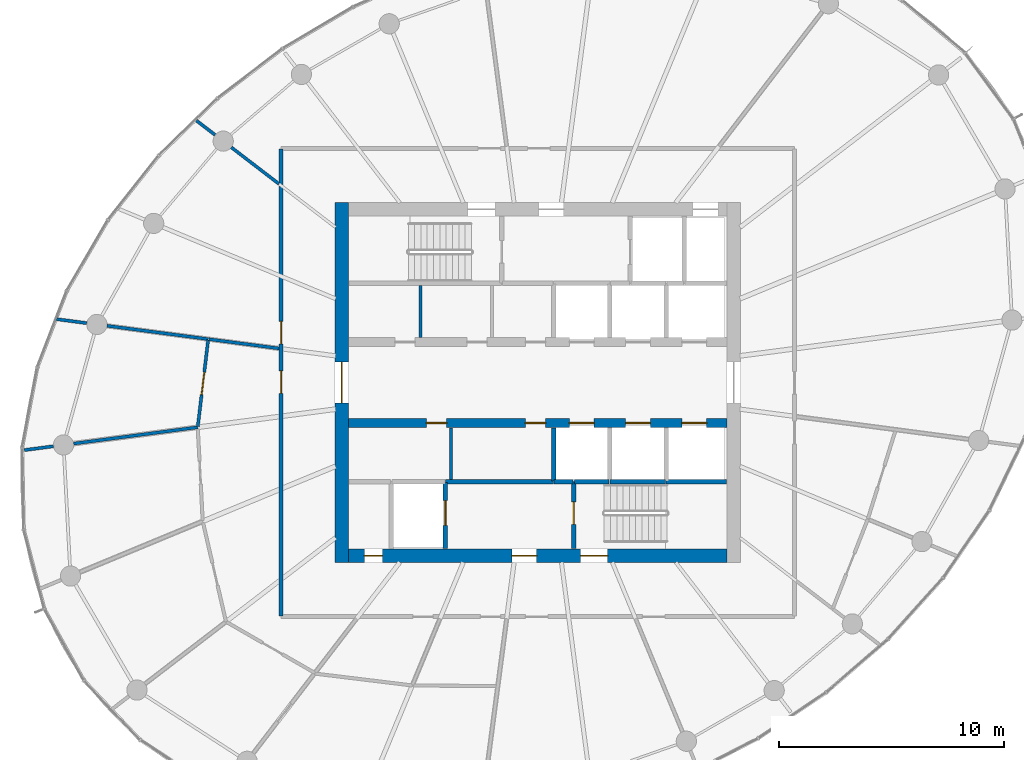
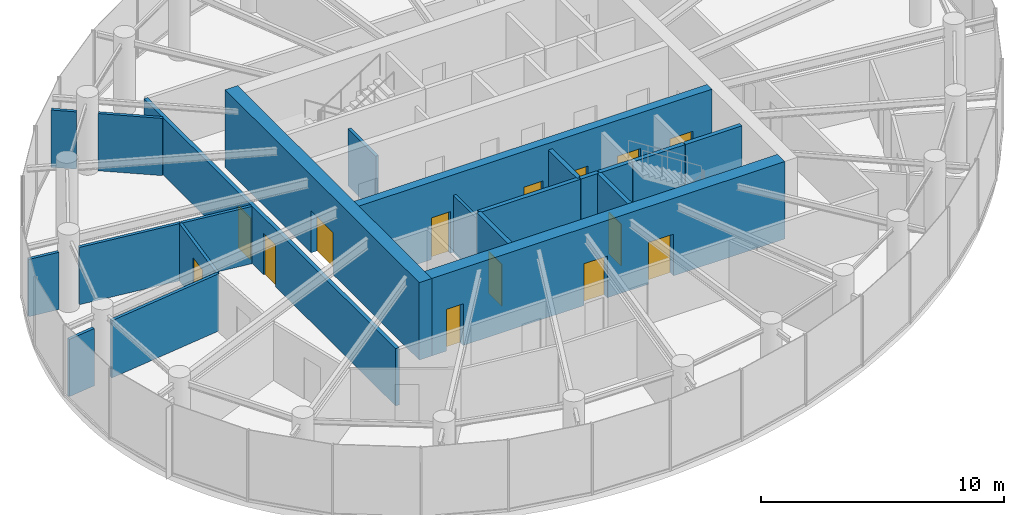
# One storey, part 9 of 13: 22 walls, 14 doors, 14 openings.
"""IFC4 building model written with IfcOpenShell, lengths in metres."""

from ifc_helpers import new_model, si_unit, direction, frame, frame_2d, origin, place, context, subcontext, project, spatial, rectangle, extrude, source, transform, mapped, material, layer, layer_set, type_object, element, fill, save


model = new_model("IFC4")

# Units and contexts
model_context = context("Model", 3, precision=1e-05, world=origin(), true_north=direction((0.0, 1.0)))
body_context = subcontext(model_context, "Body", "Model", "MODEL_VIEW")
ifc_project = project(units=[si_unit("LENGTHUNIT", "METRE"), si_unit("AREAUNIT", "SQUARE_METRE"), si_unit("VOLUMEUNIT", "CUBIC_METRE"), si_unit("PLANEANGLEUNIT", "RADIAN"), si_unit("MASSUNIT", "GRAM", prefix="KILO")], contexts=[model_context])

# Site, building, storey
site_placement = place(None, origin())
site = spatial("IfcSite", under=ifc_project, at=site_placement, CompositionType="ELEMENT")
building_placement = place(site_placement, origin())
building = spatial("IfcBuilding", under=site, at=building_placement, Name="Spindrift Exchange Tower", CompositionType="ELEMENT")
storey_placement = place(building_placement, frame((0.0, 0.0, 218.89990234375)))
storey = spatial("IfcBuildingStorey", under=building, at=storey_placement, Name="L53", CompositionType="ELEMENT", Elevation=218.89990234375)

# Wall, opening, door
ifc_material_1 = material(Name="Concrete 50 MPa", Category="concrete")
ifc_layer_1 = layer(ifc_material_1, 0.60009765625)
ifc_layer_set_1 = layer_set([ifc_layer_1], Name="RC Core Wall 600 Concrete 50 MPa")
wall_type_1 = type_object("IfcWallType", Name="RC Core Wall 600 Concrete 50 MPa", PredefinedType="SHEAR", material=ifc_layer_set_1)
wall_1_placement = place(storey_placement, frame((43.300048828125, 56.0, 0.0), z_axis=(0.0, 0.0, 1.0), x_axis=(0.0, -1.0, 0.0)))
wall_1 = element("IfcWall", 1, at=wall_1_placement, inside=storey, type_object=wall_type_1, Name="Core wall W L53", PredefinedType="SHEAR", context=body_context, shape_type="SweptSolid", body=[
    extrude(rectangle(XDim=16.0, YDim=0.60009765625, at=frame_2d((8.0, 0.0))), origin(), (0.0, 0.0, 1.0), 3.900146484375),
])
opening_1_placement = place(wall_1_placement, frame((7.10009765625, 0.0, 0.0)))
opening_1 = element("IfcOpeningElement", 2, at=opening_1_placement, cuts=wall_1, Name="Opening L53-D1", PredefinedType="OPENING", context=body_context, shape_type="SweptSolid", body=[
    extrude(rectangle(XDim=1.800048828125, YDim=2.10009765625, at=frame_2d((0.89990234375, 1.050048828125))), frame((0.0, 0.31005859375, 0.0), z_axis=(0.0, -1.0, 0.0), x_axis=(1.0, 0.0, 0.0)), (0.0, 0.0, 1.0), 0.6201171875),
])
ifc_material_2 = material(Name="Timber-core fire door", Category="wood")
door_type_1 = type_object("IfcDoorType", Name="DR-LOBBY-1800", OperationType="NOTDEFINED", PredefinedType="DOOR", material=ifc_material_2)
shared_shape_1 = source(origin(), body_context, "Body", "SweptSolid", [
    extrude(rectangle(XDim=1.800048828125, YDim=2.10009765625, at=frame_2d((0.89990234375, 1.050048828125))), frame((0.0, 0.02490234375, 0.0), z_axis=(0.0, -1.0, 0.0), x_axis=(1.0, 0.0, 0.0)), (0.0, 0.0, 1.0), 0.050048828125),
])
door_1_placement = place(opening_1_placement, origin())
door_1 = element("IfcDoor", 3, at=door_1_placement, inside=storey, type_object=door_type_1, Name="L53 Lobby door 1", OperationType="SINGLE_SWING_LEFT", OverallHeight=2.10009765625, OverallWidth=1.800048828125, PredefinedType="DOOR", context=body_context, shape_type="MappedRepresentation", body=[
    mapped(shared_shape_1, transform((0.0, 0.0, 0.0), scale=1.0)),
])
fill(opening_1, door_1)

# Wall, openings, doors
wall_2_placement = place(storey_placement, frame((43.60009765625, 40.300048828125, 0.0), z_axis=(0.0, 0.0, 1.0), x_axis=(1.0, 0.0, 0.0)))
wall_2 = element("IfcWall", 4, at=wall_2_placement, inside=storey, type_object=wall_type_1, Name="Core wall S L53", PredefinedType="SHEAR", context=body_context, shape_type="SweptSolid", body=[
    extrude(rectangle(XDim=16.7998046875, YDim=0.60009765625, at=frame_2d((8.39990234375, 0.0))), origin(), (0.0, 0.0, 1.0), 3.900146484375),
])
opening_2_placement = place(wall_2_placement, frame((10.300048828125, 0.0, 0.0)))
opening_2 = element("IfcOpeningElement", 5, at=opening_2_placement, cuts=wall_2, Name="Opening L53-D15", PredefinedType="OPENING", context=body_context, shape_type="SweptSolid", body=[
    extrude(rectangle(XDim=1.199951171875, YDim=2.10009765625, at=frame_2d((0.60009765625, 1.050048828125))), frame((0.0, 0.31005859375, 0.0), z_axis=(0.0, -1.0, 0.0), x_axis=(1.0, 0.0, 0.0)), (0.0, 0.0, 1.0), 0.6201171875),
])
opening_3_placement = place(wall_2_placement, frame((7.25, 0.0, 0.0)))
opening_3 = element("IfcOpeningElement", 6, at=opening_3_placement, cuts=wall_2, Name="Opening L53-D17", PredefinedType="OPENING", context=body_context, shape_type="SweptSolid", body=[
    extrude(rectangle(XDim=1.10009765625, YDim=2.10009765625, at=frame_2d((0.550048828125, 1.050048828125))), frame((0.0, 0.31005859375, 0.0), z_axis=(0.0, -1.0, 0.0), x_axis=(1.0, 0.0, 0.0)), (0.0, 0.0, 1.0), 0.6201171875),
])
opening_4_placement = place(wall_2_placement, frame((0.699951171875, 0.0, 0.0)))
opening_4 = element("IfcOpeningElement", 7, at=opening_4_placement, cuts=wall_2, Name="Opening L53-D18", PredefinedType="OPENING", context=body_context, shape_type="SweptSolid", body=[
    extrude(rectangle(XDim=0.800048828125, YDim=2.10009765625, at=frame_2d((0.39990234375, 1.050048828125))), frame((0.0, 0.31005859375, 0.0), z_axis=(0.0, -1.0, 0.0), x_axis=(1.0, 0.0, 0.0)), (0.0, 0.0, 1.0), 0.6201171875),
])
ifc_material_3 = material(Name="Steel fire door", Category="steel")
door_type_2 = type_object("IfcDoorType", Name="DR-STAIR-1200", OperationType="NOTDEFINED", PredefinedType="DOOR", material=ifc_material_3)
shared_shape_2 = source(origin(), body_context, "Body", "SweptSolid", [
    extrude(rectangle(XDim=1.199951171875, YDim=2.10009765625, at=frame_2d((0.60009765625, 1.050048828125))), frame((0.0, 0.02490234375, 0.0), z_axis=(0.0, -1.0, 0.0), x_axis=(1.0, 0.0, 0.0)), (0.0, 0.0, 1.0), 0.050048828125),
])
door_2_placement = place(opening_2_placement, origin())
door_2 = element("IfcDoor", 8, at=door_2_placement, inside=storey, type_object=door_type_2, Name="L53 Stair door 15", OperationType="SINGLE_SWING_RIGHT", OverallHeight=2.10009765625, OverallWidth=1.199951171875, PredefinedType="DOOR", context=body_context, shape_type="MappedRepresentation", body=[
    mapped(shared_shape_2, transform((0.0, 0.0, 0.0), scale=1.0)),
])
fill(opening_2, door_2)
door_type_3 = type_object("IfcDoorType", Name="DR-LOBBY-1100", OperationType="NOTDEFINED", PredefinedType="DOOR", material=ifc_material_2)
shared_shape_3 = source(origin(), body_context, "Body", "SweptSolid", [
    extrude(rectangle(XDim=1.10009765625, YDim=2.10009765625, at=frame_2d((0.550048828125, 1.050048828125))), frame((0.0, 0.02490234375, 0.0), z_axis=(0.0, -1.0, 0.0), x_axis=(1.0, 0.0, 0.0)), (0.0, 0.0, 1.0), 0.050048828125),
])
door_3_placement = place(opening_3_placement, origin())
door_3 = element("IfcDoor", 9, at=door_3_placement, inside=storey, type_object=door_type_3, Name="L53 Lobby door 17", OperationType="SINGLE_SWING_RIGHT", OverallHeight=2.10009765625, OverallWidth=1.10009765625, PredefinedType="DOOR", context=body_context, shape_type="MappedRepresentation", body=[
    mapped(shared_shape_3, transform((0.0, 0.0, 0.0), scale=1.0)),
])
fill(opening_3, door_3)
ifc_material_4 = material(Name="Steel access door", Category="steel")
door_type_4 = type_object("IfcDoorType", Name="DR-RISER-800", OperationType="NOTDEFINED", PredefinedType="DOOR", material=ifc_material_4)
shared_shape_4 = source(origin(), body_context, "Body", "SweptSolid", [
    extrude(rectangle(XDim=0.800048828125, YDim=2.10009765625, at=frame_2d((0.39990234375, 1.050048828125))), frame((0.0, 0.02490234375, 0.0), z_axis=(0.0, -1.0, 0.0), x_axis=(1.0, 0.0, 0.0)), (0.0, 0.0, 1.0), 0.050048828125),
])
door_4_placement = place(opening_4_placement, origin())
door_4 = element("IfcDoor", 10, at=door_4_placement, inside=storey, type_object=door_type_4, Name="L53 Riser door 18", OperationType="SINGLE_SWING_LEFT", OverallHeight=2.10009765625, OverallWidth=0.800048828125, PredefinedType="DOOR", context=body_context, shape_type="MappedRepresentation", body=[
    mapped(shared_shape_4, transform((0.0, 0.0, 0.0), scale=1.0)),
])
fill(opening_4, door_4)

ifc_layer_2 = layer(ifc_material_1, 0.39990234375)
ifc_layer_set_2 = layer_set([ifc_layer_2], Name="RC Spine Wall 400 Concrete 50 MPa")
wall_type_2 = type_object("IfcWallType", Name="RC Spine Wall 400 Concrete 50 MPa", PredefinedType="SHEAR", material=ifc_layer_set_2)
wall_3_placement = place(storey_placement, frame((43.60009765625, 46.199951171875, 0.0), z_axis=(0.0, 0.0, 1.0), x_axis=(1.0, 0.0, 0.0)))
wall_3 = element("IfcWall", 11, at=wall_3_placement, inside=storey, type_object=wall_type_2, Name="Core spine wall S L53", PredefinedType="SHEAR", context=body_context, shape_type="SweptSolid", body=[
    extrude(rectangle(XDim=16.7998046875, YDim=0.39990234375, at=frame_2d((8.39990234375, 0.0))), origin(), (0.0, 0.0, 1.0), 3.900146484375),
])
opening_5_placement = place(wall_3_placement, frame((9.800048828125, 0.0, 0.0)))
opening_5 = element("IfcOpeningElement", 12, at=opening_5_placement, cuts=wall_3, Name="Opening L53-D6", PredefinedType="OPENING", context=body_context, shape_type="SweptSolid", body=[
    extrude(rectangle(XDim=1.10009765625, YDim=2.10009765625, at=frame_2d((0.550048828125, 1.050048828125))), frame((0.0, 0.2099609375, 0.0), z_axis=(0.0, -1.0, 0.0), x_axis=(1.0, 0.0, 0.0)), (0.0, 0.0, 1.0), 0.419921875),
])
opening_6_placement = place(wall_3_placement, frame((12.300048828125, 0.0, 0.0)))
opening_6 = element("IfcOpeningElement", 13, at=opening_6_placement, cuts=wall_3, Name="Opening L53-D7", PredefinedType="OPENING", context=body_context, shape_type="SweptSolid", body=[
    extrude(rectangle(XDim=1.10009765625, YDim=2.10009765625, at=frame_2d((0.550048828125, 1.050048828125))), frame((0.0, 0.2099609375, 0.0), z_axis=(0.0, -1.0, 0.0), x_axis=(1.0, 0.0, 0.0)), (0.0, 0.0, 1.0), 0.419921875),
])
opening_7_placement = place(wall_3_placement, frame((14.800048828125, 0.0, 0.0)))
opening_7 = element("IfcOpeningElement", 14, at=opening_7_placement, cuts=wall_3, Name="Opening L53-D8", PredefinedType="OPENING", context=body_context, shape_type="SweptSolid", body=[
    extrude(rectangle(XDim=1.10009765625, YDim=2.10009765625, at=frame_2d((0.550048828125, 1.050048828125))), frame((0.0, 0.2099609375, 0.0), z_axis=(0.0, -1.0, 0.0), x_axis=(1.0, 0.0, 0.0)), (0.0, 0.0, 1.0), 0.419921875),
])
opening_8_placement = place(wall_3_placement, frame((3.449951171875, 0.0, 0.0)))
opening_8 = element("IfcOpeningElement", 15, at=opening_8_placement, cuts=wall_3, Name="Opening L53-D39", PredefinedType="OPENING", context=body_context, shape_type="SweptSolid", body=[
    extrude(rectangle(XDim=0.89990234375, YDim=2.10009765625, at=frame_2d((0.449951171875, 1.050048828125))), frame((0.0, 0.2099609375, 0.0), z_axis=(0.0, -1.0, 0.0), x_axis=(1.0, 0.0, 0.0)), (0.0, 0.0, 1.0), 0.419921875),
])
opening_9_placement = place(wall_3_placement, frame((7.85009765625, 0.0, 0.0)))
opening_9 = element("IfcOpeningElement", 16, at=opening_9_placement, cuts=wall_3, Name="Opening L53-D40", PredefinedType="OPENING", context=body_context, shape_type="SweptSolid", body=[
    extrude(rectangle(XDim=0.89990234375, YDim=2.10009765625, at=frame_2d((0.449951171875, 1.050048828125))), frame((0.0, 0.2099609375, 0.0), z_axis=(0.0, -1.0, 0.0), x_axis=(1.0, 0.0, 0.0)), (0.0, 0.0, 1.0), 0.419921875),
])
ifc_material_5 = material(Name="Stainless steel landing door", Category="steel")
door_type_5 = type_object("IfcDoorType", Name="DR-LANDING-1100-SL", OperationType="DOUBLE_DOOR_SLIDING", PredefinedType="USERDEFINED", material=ifc_material_5)
shared_shape_5 = source(origin(), body_context, "Body", "SweptSolid", [
    extrude(rectangle(XDim=1.10009765625, YDim=2.10009765625, at=frame_2d((0.550048828125, 1.050048828125))), frame((0.0, 0.02490234375, 0.0), z_axis=(0.0, -1.0, 0.0), x_axis=(1.0, 0.0, 0.0)), (0.0, 0.0, 1.0), 0.050048828125),
])
door_5_placement = place(opening_5_placement, origin())
door_5 = element("IfcDoor", 17, at=door_5_placement, inside=storey, type_object=door_type_5, Name="L53 Lift landing door 6", ObjectType="LANDING DOOR", OperationType="DOUBLE_DOOR_SLIDING", OverallHeight=2.10009765625, OverallWidth=1.10009765625, PredefinedType="USERDEFINED", context=body_context, shape_type="MappedRepresentation", body=[
    mapped(shared_shape_5, transform((0.0, 0.0, 0.0), scale=1.0)),
])
fill(opening_5, door_5)
door_6_placement = place(opening_6_placement, origin())
door_6 = element("IfcDoor", 18, at=door_6_placement, inside=storey, type_object=door_type_5, Name="L53 Lift landing door 7", ObjectType="LANDING DOOR", OperationType="DOUBLE_DOOR_SLIDING", OverallHeight=2.10009765625, OverallWidth=1.10009765625, PredefinedType="USERDEFINED", context=body_context, shape_type="MappedRepresentation", body=[
    mapped(shared_shape_5, transform((0.0, 0.0, 0.0), scale=1.0)),
])
fill(opening_6, door_6)
door_7_placement = place(opening_7_placement, origin())
door_7 = element("IfcDoor", 19, at=door_7_placement, inside=storey, type_object=door_type_5, Name="L53 Lift landing door 8", ObjectType="LANDING DOOR", OperationType="DOUBLE_DOOR_SLIDING", OverallHeight=2.10009765625, OverallWidth=1.10009765625, PredefinedType="USERDEFINED", context=body_context, shape_type="MappedRepresentation", body=[
    mapped(shared_shape_5, transform((0.0, 0.0, 0.0), scale=1.0)),
])
fill(opening_7, door_7)
door_type_6 = type_object("IfcDoorType", Name="DR-RISER-900", OperationType="NOTDEFINED", PredefinedType="DOOR", material=ifc_material_4)
shared_shape_6 = source(origin(), body_context, "Body", "SweptSolid", [
    extrude(rectangle(XDim=0.89990234375, YDim=2.10009765625, at=frame_2d((0.449951171875, 1.050048828125))), frame((0.0, 0.02490234375, 0.0), z_axis=(0.0, -1.0, 0.0), x_axis=(1.0, 0.0, 0.0)), (0.0, 0.0, 1.0), 0.050048828125),
])
door_8_placement = place(opening_8_placement, origin())
door_8 = element("IfcDoor", 20, at=door_8_placement, inside=storey, type_object=door_type_6, Name="L53 Riser door 39", OperationType="SINGLE_SWING_RIGHT", OverallHeight=2.10009765625, OverallWidth=0.89990234375, PredefinedType="DOOR", context=body_context, shape_type="MappedRepresentation", body=[
    mapped(shared_shape_6, transform((0.0, 0.0, 0.0), scale=1.0)),
])
fill(opening_8, door_8)
door_9_placement = place(opening_9_placement, origin())
door_9 = element("IfcDoor", 21, at=door_9_placement, inside=storey, type_object=door_type_6, Name="L53 Riser door 40", OperationType="SINGLE_SWING_LEFT", OverallHeight=2.10009765625, OverallWidth=0.89990234375, PredefinedType="DOOR", context=body_context, shape_type="MappedRepresentation", body=[
    mapped(shared_shape_6, transform((0.0, 0.0, 0.0), scale=1.0)),
])
fill(opening_9, door_9)

ifc_material_6 = material(Name="Fire-rated plasterboard partition", Category="gypsum")
ifc_layer_3 = layer(ifc_material_6, 0.179931640625)
ifc_layer_set_3 = layer_set([ifc_layer_3], Name="W-CORR-180")
wall_type_3 = type_object("IfcWallType", Name="W-CORR-180", PredefinedType="PARTITIONING", material=ifc_layer_set_3)
wall_4_placement = place(storey_placement, frame((40.60009765625, 37.6298828125, 0.0), z_axis=(0.0, 0.0, 1.0), x_axis=(0.0, 1.0, 0.0)))
wall_4 = element("IfcWall", 22, at=wall_4_placement, inside=storey, type_object=wall_type_3, Name="L53 Partition wall 30", PredefinedType="PARTITIONING", context=body_context, shape_type="SweptSolid", body=[
    extrude(rectangle(XDim=20.740234375, YDim=0.179931640625, at=frame_2d((10.3701171875, 0.0))), origin(), (0.0, 0.0, 1.0), 2.880126953125),
])
opening_10_placement = place(wall_4_placement, frame((12.090087890625, 0.0, 0.0)))
opening_10 = element("IfcOpeningElement", 23, at=opening_10_placement, cuts=wall_4, Name="Opening L53-D30", PredefinedType="OPENING", context=body_context, shape_type="SweptSolid", body=[
    extrude(rectangle(XDim=1.0, YDim=2.10009765625, at=frame_2d((0.5, 1.050048828125))), frame((0.0, 0.099853515625, 0.0), z_axis=(0.0, -1.0, 0.0), x_axis=(1.0, 0.0, 0.0)), (0.0, 0.0, 1.0), 0.199951171875),
])
opening_11_placement = place(wall_4_placement, frame((9.889892578125, 0.0, 0.0)))
opening_11 = element("IfcOpeningElement", 24, at=opening_11_placement, cuts=wall_4, Name="Opening L53-D31", PredefinedType="OPENING", context=body_context, shape_type="SweptSolid", body=[
    extrude(rectangle(XDim=1.0, YDim=2.10009765625, at=frame_2d((0.5, 1.050048828125))), frame((0.0, 0.099853515625, 0.0), z_axis=(0.0, -1.0, 0.0), x_axis=(1.0, 0.0, 0.0)), (0.0, 0.0, 1.0), 0.199951171875),
])
door_type_7 = type_object("IfcDoorType", Name="DR-ROOM-1000", OperationType="NOTDEFINED", PredefinedType="DOOR", material=ifc_material_2)
shared_shape_7 = source(origin(), body_context, "Body", "SweptSolid", [
    extrude(rectangle(XDim=1.0, YDim=2.10009765625, at=frame_2d((0.5, 1.050048828125))), frame((0.0, 0.02490234375, 0.0), z_axis=(0.0, -1.0, 0.0), x_axis=(1.0, 0.0, 0.0)), (0.0, 0.0, 1.0), 0.050048828125),
])
door_10_placement = place(opening_10_placement, origin())
door_10 = element("IfcDoor", 25, at=door_10_placement, inside=storey, type_object=door_type_7, Name="L53 Door 30", OperationType="SINGLE_SWING_LEFT", OverallHeight=2.10009765625, OverallWidth=1.0, PredefinedType="DOOR", context=body_context, shape_type="MappedRepresentation", body=[
    mapped(shared_shape_7, transform((0.0, 0.0, 0.0), scale=1.0)),
])
fill(opening_10, door_10)
door_11_placement = place(opening_11_placement, origin())
door_11 = element("IfcDoor", 26, at=door_11_placement, inside=storey, type_object=door_type_7, Name="L53 Door 31", OperationType="SINGLE_SWING_RIGHT", OverallHeight=2.10009765625, OverallWidth=1.0, PredefinedType="DOOR", context=body_context, shape_type="MappedRepresentation", body=[
    mapped(shared_shape_7, transform((0.0, 0.0, 0.0), scale=1.0)),
])
fill(opening_11, door_11)

# Walls
ifc_layer_4 = layer(ifc_material_6, 0.139892578125)
ifc_layer_set_4 = layer_set([ifc_layer_4], Name="W-PART-140")
wall_type_4 = type_object("IfcWallType", Name="W-PART-140", PredefinedType="PARTITIONING", material=ifc_layer_set_4)
wall_5_placement = place(storey_placement, frame((36.897216796875, 46.01171875, 0.0), z_axis=(0.0, 0.0, 1.0), x_axis=(-0.991443375062, -0.130537481379, 0.0)))
element("IfcWall", 27, at=wall_5_placement, inside=storey, type_object=wall_type_4, Name="L53 Partition wall 36", PredefinedType="PARTITIONING", context=body_context, shape_type="SweptSolid", body=[
    extrude(rectangle(XDim=5.556640625, YDim=0.139892578125, at=frame_2d((2.7783203125, 0.0))), origin(), (0.0, 0.0, 1.0), 2.880126953125),
])
wall_6_placement = place(storey_placement, frame((37.364990234375, 49.9267578125, 0.0), z_axis=(0.0, 0.0, 1.0), x_axis=(-0.991445679667, 0.130519976512, 0.0)))
element("IfcWall", 28, at=wall_6_placement, inside=storey, type_object=wall_type_4, Name="L53 Partition wall 40", PredefinedType="PARTITIONING", context=body_context, shape_type="SweptSolid", body=[
    extrude(rectangle(XDim=4.5341796875, YDim=0.139892578125, at=frame_2d((2.26708984375, 0.0))), origin(), (0.0, 0.0, 1.0), 2.880126953125),
])

# Wall, opening, door
wall_7_placement = place(storey_placement, frame((36.90087890625, 46.04150390625, 0.0), z_axis=(0.0, 0.0, 1.0), x_axis=(0.118646859406, 0.992936514966, 0.0)))
wall_7 = element("IfcWall", 29, at=wall_7_placement, inside=storey, type_object=wall_type_4, Name="L53 Partition wall 47", PredefinedType="PARTITIONING", context=body_context, shape_type="SweptSolid", body=[
    extrude(rectangle(XDim=3.8828125, YDim=0.139892578125, at=frame_2d((1.94140625, 0.0))), origin(), (0.0, 0.0, 1.0), 2.880126953125),
])
opening_12_placement = place(wall_7_placement, frame((1.432861328125, 0.0, 0.0)))
opening_12 = element("IfcOpeningElement", 30, at=opening_12_placement, cuts=wall_7, Name="Opening L53-D32", PredefinedType="OPENING", context=body_context, shape_type="SweptSolid", body=[
    extrude(rectangle(XDim=1.0, YDim=2.10009765625, at=frame_2d((0.5, 1.050048828125))), frame((0.0, 0.079833984375, 0.0), z_axis=(0.0, -1.0, 0.0), x_axis=(1.0, 0.0, 0.0)), (0.0, 0.0, 1.0), 0.159912109375),
])
door_12_placement = place(opening_12_placement, origin())
door_12 = element("IfcDoor", 31, at=door_12_placement, inside=storey, type_object=door_type_7, Name="L53 Door 32", OperationType="SINGLE_SWING_LEFT", OverallHeight=2.10009765625, OverallWidth=1.0, PredefinedType="DOOR", context=body_context, shape_type="MappedRepresentation", body=[
    mapped(shared_shape_7, transform((0.0, 0.0, 0.0), scale=1.0)),
])
fill(opening_12, door_12)

# Walls
wall_8_placement = place(storey_placement, frame((40.510009765625, 49.5126953125, 0.0), z_axis=(0.0, 0.0, 1.0), x_axis=(-0.991443713746, 0.13053490902, 0.0)))
element("IfcWall", 32, at=wall_8_placement, inside=storey, type_object=wall_type_4, Name="L53 Partition wall 49", PredefinedType="PARTITIONING", context=body_context, shape_type="SweptSolid", body=[
    extrude(rectangle(XDim=3.14208984375, YDim=0.139892578125, at=frame_2d((1.571044921875, 0.0))), origin(), (0.0, 0.0, 1.0), 2.880126953125),
])
wall_9_placement = place(storey_placement, frame((40.510009765625, 56.816650390625, 0.0), z_axis=(0.0, 0.0, 1.0), x_axis=(-0.793363703091, 0.608747923707, 0.0)))
element("IfcWall", 33, at=wall_9_placement, inside=storey, type_object=wall_type_4, Name="L53 Partition wall 53", PredefinedType="PARTITIONING", context=body_context, shape_type="SweptSolid", body=[
    extrude(rectangle(XDim=2.672607421875, YDim=0.139892578125, at=frame_2d((1.33642578125, 0.0))), origin(), (0.0, 0.0, 1.0), 2.880126953125),
])
for number, where, z_axis, x_axis, name in (
    (34, (46.784912109375, 50.010009765625, 0.0), (0.0, 0.0, 1.0), (0.0, 1.0, 0.0), "L53 Partition wall 54"),
    (35, (48.14990234375, 43.699951171875, 0.0), (0.0, 0.0, 1.0), (0.0, 1.0, 0.0), "L53 Partition wall 55"),
):
    element("IfcWall", number, at=place(storey_placement, frame(where, z_axis=z_axis, x_axis=x_axis)), inside=storey, type_object=wall_type_4, Name=name, PredefinedType="PARTITIONING", context=body_context, shape_type="SweptSolid", body=[
        extrude(rectangle(XDim=2.2900390625, YDim=0.139892578125, at=frame_2d((1.14501953125, 0.0))), origin(), (0.0, 0.0, 1.0), 2.880126953125),
    ])
wall_10_placement = place(storey_placement, frame((31.968505859375, 50.63720703125, 0.0), z_axis=(0.0, 0.0, 1.0), x_axis=(-0.991446880033, 0.130510858064, 0.0)))
element("IfcWall", 36, at=wall_10_placement, inside=storey, type_object=wall_type_4, Name="L53 Partition wall 58", PredefinedType="PARTITIONING", context=body_context, shape_type="SweptSolid", body=[
    extrude(rectangle(XDim=1.344970703125, YDim=0.139892578125, at=frame_2d((0.67236328125, 0.0))), origin(), (0.0, 0.0, 1.0), 2.880126953125),
])
wall_11_placement = place(storey_placement, frame((30.487060546875, 45.167724609375, 0.0), z_axis=(0.0, 0.0, 1.0), x_axis=(-0.991453658456, -0.130459354341, 0.0)))
element("IfcWall", 37, at=wall_11_placement, inside=storey, type_object=wall_type_4, Name="L53 Partition wall 60", PredefinedType="PARTITIONING", context=body_context, shape_type="SweptSolid", body=[
    extrude(rectangle(XDim=1.304443359375, YDim=0.139892578125, at=frame_2d((0.65234375, 0.0))), origin(), (0.0, 0.0, 1.0), 2.880126953125),
])
wall_12_placement = place(storey_placement, frame((37.66845703125, 58.9970703125, 0.0), z_axis=(0.0, 0.0, 1.0), x_axis=(-0.793388088797, 0.608716141198, 0.0)))
element("IfcWall", 38, at=wall_12_placement, inside=storey, type_object=wall_type_4, Name="L53 Partition wall 66", PredefinedType="PARTITIONING", context=body_context, shape_type="SweptSolid", body=[
    extrude(rectangle(XDim=1.04443359375, YDim=0.139892578125, at=frame_2d((0.522216796875, 0.0))), origin(), (0.0, 0.0, 1.0), 2.880126953125),
])
ifc_material_7 = material(Name="Concrete 40 MPa", Category="concrete")
ifc_layer_5 = layer(ifc_material_7, 0.199951171875)
ifc_layer_set_5 = layer_set([ifc_layer_5], Name="W-SHAFT-200")
wall_type_5 = type_object("IfcWallType", Name="W-SHAFT-200", PredefinedType="SOLIDWALL", material=ifc_layer_set_5)
wall_13_placement = place(storey_placement, frame((52.699951171875, 43.60009765625, 0.0), z_axis=(0.0, 0.0, 1.0), x_axis=(-1.0, 0.0, 0.0)))
element("IfcWall", 39, at=wall_13_placement, inside=storey, type_object=wall_type_5, Name="L53 Shaft wall 2", PredefinedType="SOLIDWALL", context=body_context, shape_type="SweptSolid", body=[
    extrude(rectangle(XDim=4.800048828125, YDim=0.199951171875, at=frame_2d((2.39990234375, 0.0))), origin(), (0.0, 0.0, 1.0), 3.580078125),
])

# Wall, opening, door
wall_14_placement = place(storey_placement, frame((47.89990234375, 40.6201171875, 0.0), z_axis=(0.0, 0.0, 1.0), x_axis=(0.0, 1.0, 0.0)))
wall_14 = element("IfcWall", 40, at=wall_14_placement, inside=storey, type_object=wall_type_5, Name="L53 Shaft wall 4", PredefinedType="SOLIDWALL", context=body_context, shape_type="SweptSolid", body=[
    extrude(rectangle(XDim=2.949951171875, YDim=0.199951171875, at=frame_2d((1.47509765625, 0.0))), origin(), (0.0, 0.0, 1.0), 3.580078125),
])
opening_13_placement = place(wall_14_placement, frame((1.030029296875, 0.0, 0.0)))
opening_13 = element("IfcOpeningElement", 41, at=opening_13_placement, cuts=wall_14, Name="Opening L53-D10", PredefinedType="OPENING", context=body_context, shape_type="SweptSolid", body=[
    extrude(rectangle(XDim=1.10009765625, YDim=2.10009765625, at=frame_2d((0.550048828125, 1.050048828125))), frame((0.0, 0.10986328125, 0.0), z_axis=(0.0, -1.0, 0.0), x_axis=(1.0, 0.0, 0.0)), (0.0, 0.0, 1.0), 0.219970703125),
])
door_13_placement = place(opening_13_placement, origin())
door_13 = element("IfcDoor", 42, at=door_13_placement, inside=storey, type_object=door_type_5, Name="L53 Lift landing door 10", ObjectType="LANDING DOOR", OperationType="DOUBLE_DOOR_SLIDING", OverallHeight=2.10009765625, OverallWidth=1.10009765625, PredefinedType="USERDEFINED", context=body_context, shape_type="MappedRepresentation", body=[
    mapped(shared_shape_5, transform((0.0, 0.0, 0.0), scale=1.0)),
])
fill(opening_13, door_13)

# Wall
wall_15_placement = place(storey_placement, frame((52.699951171875, 45.989990234375, 0.0), z_axis=(0.0, 0.0, 1.0), x_axis=(0.0, -1.0, 0.0)))
element("IfcWall", 43, at=wall_15_placement, inside=storey, type_object=wall_type_5, Name="L53 Shaft wall 13", PredefinedType="SOLIDWALL", context=body_context, shape_type="SweptSolid", body=[
    extrude(rectangle(XDim=2.360107421875, YDim=0.199951171875, at=frame_2d((1.18017578125, 0.0))), origin(), (0.0, 0.0, 1.0), 3.580078125),
])

# Wall, opening, door
ifc_layer_6 = layer(ifc_material_7, 0.199951171875)
ifc_layer_set_6 = layer_set([ifc_layer_6], Name="W-SHAFT-200-LB")
wall_type_6 = type_object("IfcWallType", Name="W-SHAFT-200-LB", PredefinedType="SOLIDWALL", material=ifc_layer_set_6)
wall_16_placement = place(storey_placement, frame((53.60009765625, 43.60009765625, 0.0), z_axis=(0.0, 0.0, 1.0), x_axis=(0.0, -1.0, 0.0)))
wall_16 = element("IfcWall", 44, at=wall_16_placement, inside=storey, type_object=wall_type_6, Name="L53 Shaft wall 6", PredefinedType="SOLIDWALL", context=body_context, shape_type="SweptSolid", body=[
    extrude(rectangle(XDim=2.97998046875, YDim=0.199951171875, at=frame_2d((1.489990234375, 0.0))), origin(), (0.0, 0.0, 1.0), 3.580078125),
])
opening_14_placement = place(wall_16_placement, frame((0.89990234375, 0.0, 0.0)))
opening_14 = element("IfcOpeningElement", 45, at=opening_14_placement, cuts=wall_16, Name="Opening L53-D16", PredefinedType="OPENING", context=body_context, shape_type="SweptSolid", body=[
    extrude(rectangle(XDim=1.0, YDim=2.10009765625, at=frame_2d((0.5, 1.050048828125))), frame((0.0, 0.10986328125, 0.0), z_axis=(0.0, -1.0, 0.0), x_axis=(1.0, 0.0, 0.0)), (0.0, 0.0, 1.0), 0.219970703125),
])
door_type_8 = type_object("IfcDoorType", Name="DR-STAIR-1000", OperationType="NOTDEFINED", PredefinedType="DOOR", material=ifc_material_3)
shared_shape_8 = source(origin(), body_context, "Body", "SweptSolid", [
    extrude(rectangle(XDim=1.0, YDim=2.10009765625, at=frame_2d((0.5, 1.050048828125))), frame((0.0, 0.02490234375, 0.0), z_axis=(0.0, -1.0, 0.0), x_axis=(1.0, 0.0, 0.0)), (0.0, 0.0, 1.0), 0.050048828125),
])
door_14_placement = place(opening_14_placement, origin())
door_14 = element("IfcDoor", 46, at=door_14_placement, inside=storey, type_object=door_type_8, Name="L53 Stair door 16", OperationType="SINGLE_SWING_LEFT", OverallHeight=2.10009765625, OverallWidth=1.0, PredefinedType="DOOR", context=body_context, shape_type="MappedRepresentation", body=[
    mapped(shared_shape_8, transform((0.0, 0.0, 0.0), scale=1.0)),
])
fill(opening_14, door_14)

# Walls
wall_17_placement = place(storey_placement, frame((57.699951171875, 43.60009765625, 0.0), z_axis=(0.0, 0.0, 1.0), x_axis=(1.0, 0.0, 0.0)))
element("IfcWall", 47, at=wall_17_placement, inside=storey, type_object=wall_type_6, Name="L53 Shaft wall 9", PredefinedType="SOLIDWALL", context=body_context, shape_type="SweptSolid", body=[
    extrude(rectangle(XDim=2.679931640625, YDim=0.199951171875, at=frame_2d((1.33984375, 0.0))), origin(), (0.0, 0.0, 1.0), 3.580078125),
])
wall_18_placement = place(storey_placement, frame((55.199951171875, 43.60009765625, 0.0), z_axis=(0.0, 0.0, 1.0), x_axis=(1.0, 0.0, 0.0)))
element("IfcWall", 48, at=wall_18_placement, inside=storey, type_object=wall_type_6, Name="L53 Shaft wall 11", PredefinedType="SOLIDWALL", context=body_context, shape_type="SweptSolid", body=[
    extrude(rectangle(XDim=2.469970703125, YDim=0.199951171875, at=frame_2d((1.23486328125, 0.0))), origin(), (0.0, 0.0, 1.0), 3.580078125),
])
wall_19_placement = place(storey_placement, frame((53.6298828125, 43.60009765625, 0.0), z_axis=(0.0, 0.0, 1.0), x_axis=(1.0, 0.0, 0.0)))
element("IfcWall", 49, at=wall_19_placement, inside=storey, type_object=wall_type_6, Name="L53 Shaft wall 22", PredefinedType="SOLIDWALL", context=body_context, shape_type="SweptSolid", body=[
    extrude(rectangle(XDim=1.5400390625, YDim=0.199951171875, at=frame_2d((0.77001953125, 0.0))), origin(), (0.0, 0.0, 1.0), 3.580078125),
])
wall_20_placement = place(storey_placement, frame((52.72998046875, 43.60009765625, 0.0), z_axis=(0.0, 0.0, 1.0), x_axis=(1.0, 0.0, 0.0)))
element("IfcWall", 50, at=wall_20_placement, inside=storey, type_object=wall_type_6, Name="L53 Shaft wall 24", PredefinedType="SOLIDWALL", context=body_context, shape_type="SweptSolid", body=[
    extrude(rectangle(XDim=0.840087890625, YDim=0.199951171875, at=frame_2d((0.419921875, 0.0))), origin(), (0.0, 0.0, 1.0), 3.580078125),
])

save(model, "model.ifc")
